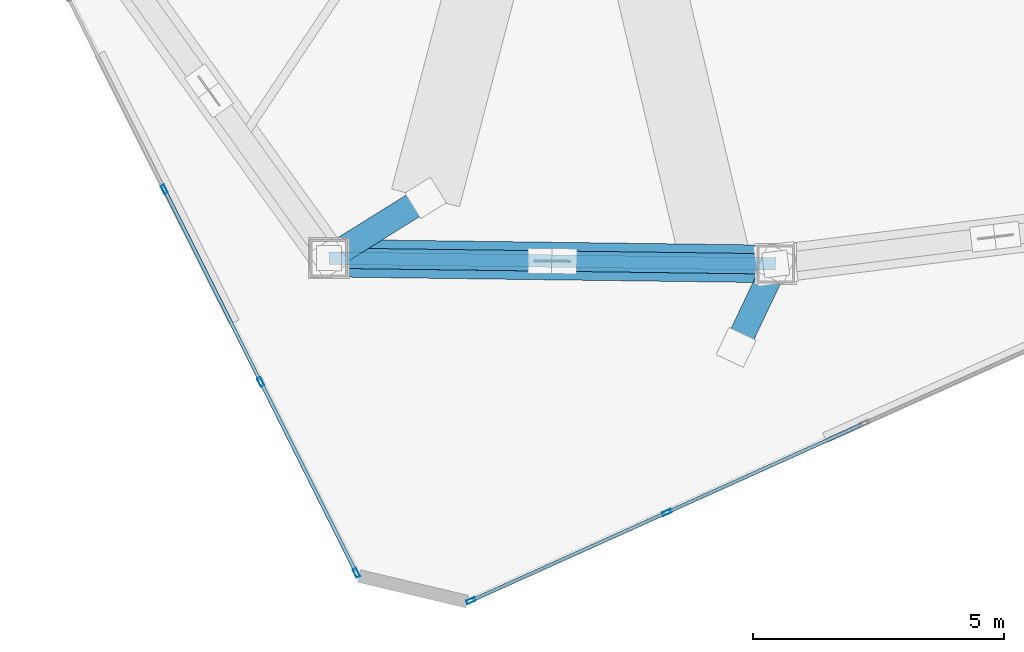
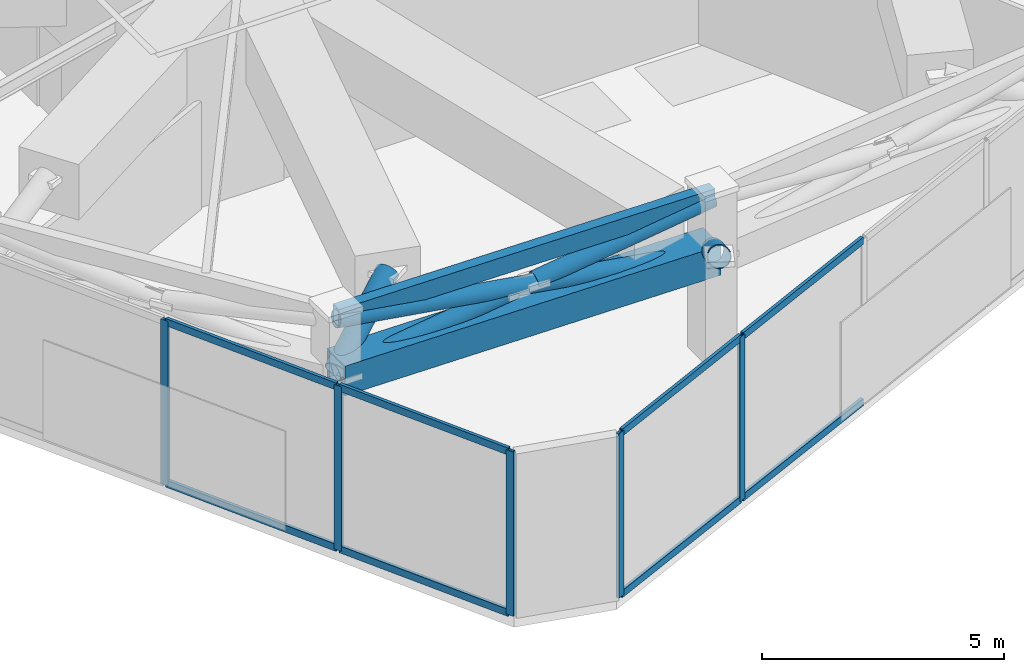
# One storey, part 2 of 21: 19 members, 1 beam, 2 elements without a shape of their own.
"""IFC4 building model written with IfcOpenShell, lengths in metres."""

from ifc_helpers import new_model, si_unit, direction, frame, origin, origin_2d, place, context, subcontext, project, spatial, hollow_rectangle, hollow_circle, extrude, source, transform, mapped, material, layer, layer_set, material_profile, profile_set, type_object, type_shapes, element, aggregate, save


model = new_model("IFC4")

# Units and contexts
model_context = context("Model", 3, precision=1e-05, world=origin(), true_north=direction((0.0, 1.0)))
body_context = subcontext(model_context, "Body", "Model", "MODEL_VIEW")
ifc_project = project(units=[si_unit("LENGTHUNIT", "METRE"), si_unit("AREAUNIT", "SQUARE_METRE"), si_unit("VOLUMEUNIT", "CUBIC_METRE"), si_unit("PLANEANGLEUNIT", "RADIAN"), si_unit("MASSUNIT", "GRAM", prefix="KILO")], contexts=[model_context])

# Site, building, storey
site_placement = place(None, origin())
site = spatial("IfcSite", under=ifc_project, at=site_placement, CompositionType="ELEMENT")
building_placement = place(site_placement, origin())
building = spatial("IfcBuilding", under=site, at=building_placement, Name="Talar Marvaseh", CompositionType="ELEMENT")
storey_placement = place(building_placement, frame((0.0, 0.0, 162.39990234375)))
storey = spatial("IfcBuildingStorey", under=building, at=storey_placement, Name="L42", CompositionType="ELEMENT", Elevation=162.39990234375)

# Beam
ifc_material_1 = material(Name="Steel S355", Category="steel")
ifc_material_profile_1 = material_profile(ifc_material_1, hollow_rectangle(XDim=0.25, YDim=0.449951171875, WallThickness=0.01611328125, at=origin_2d()), Name="RHS450x250x16")
ifc_profile_set_1 = profile_set([ifc_material_profile_1], Name="Steel S355")
beam_type = type_object("IfcBeamType", Name="Zone 2 Perimeter Spandrel Beam RHS450x250x16", PredefinedType="SPANDREL", material=ifc_profile_set_1)
beam_placement = place(storey_placement, frame((22.804931640625, 13.18310546875, 3.925048828125), z_axis=(-0.999915383581, 0.013008677034, 0.0), x_axis=(-0.013008677034, -0.999915383581, 0.0)))
element("IfcBeam", 1, at=beam_placement, inside=storey, type_object=beam_type, Name="L42 Zone 2 Perimeter Spandrel Beam RHS450x250x16", PredefinedType="SPANDREL", context=body_context, shape_type="SweptSolid", body=[
    extrude(hollow_rectangle(XDim=0.25, YDim=0.449951171875, WallThickness=0.01611328125, at=origin_2d()), origin(), (0.0, 0.0, 1.0), 8.91455078125),
])

# Members
ifc_material_2 = material(Name="Steel S460", Category="steel")
ifc_material_profile_2 = material_profile(ifc_material_2, hollow_circle(Radius=0.25390625, WallThickness=0.02001953125, at=origin_2d()), Name="CHS508x20")
ifc_profile_set_2 = profile_set([ifc_material_profile_2], Name="Steel S460")
member_type_1 = type_object("IfcMemberType", Name="Crown Frame Diagonal Brace CHS508x20", PredefinedType="BRACE", material=ifc_profile_set_2)
shared_shape_1 = source(origin(), body_context, "Body", "SweptSolid", [
    extrude(hollow_circle(Radius=0.25390625, WallThickness=0.02001953125, at=origin_2d()), origin(), (0.0, 0.0, 1.0), 2.1455078125),
])
member_1_placement = place(storey_placement, frame((22.804931640625, 13.18310546875, 2.550048828125), z_axis=(-0.368218332882, -0.775579776552, 0.512729236083), x_axis=(0.90335967175, -0.42888378782, 0.0)))
element("IfcMember", 2, at=member_1_placement, inside=storey, type_object=member_type_1, Name="L42 Setback Transfer Raked Strut 7", PredefinedType="BRACE", context=body_context, shape_type="MappedRepresentation", body=[
    mapped(shared_shape_1, transform((0.0, 0.0, 0.0), x_axis=(1.0, 0.0, 0.0), y_axis=(0.0, 1.0, 0.0), z_axis=(0.0, 0.0, 1.0), scale=1.0)),
])
shared_shape_2 = source(origin(), body_context, "Body", "SweptSolid", [
    extrude(hollow_circle(Radius=0.25390625, WallThickness=0.02001953125, at=origin_2d()), origin(), (0.0, 0.0, 1.0), 2.524169921875),
])
type_shapes(member_type_1, [shared_shape_1, shared_shape_2])
member_2_placement = place(storey_placement, frame((13.89111328125, 13.299072265625, 2.550048828125), z_axis=(0.763779604175, 0.476141191763, 0.435809914703), x_axis=(-0.529023002105, 0.848607484791, 0.0)))
element("IfcMember", 3, at=member_2_placement, inside=storey, type_object=member_type_1, Name="L42 Setback Transfer Raked Strut 8", PredefinedType="BRACE", context=body_context, shape_type="MappedRepresentation", body=[
    mapped(shared_shape_2, transform((0.0, 0.0, 0.0), x_axis=(1.0, 0.0, 0.0), y_axis=(0.0, 1.0, 0.0), z_axis=(0.0, 0.0, 1.0), scale=1.0)),
])
ifc_material_profile_3 = material_profile(ifc_material_2, hollow_rectangle(XDim=0.75, YDim=0.75, WallThickness=0.0400390625, at=origin_2d()), Name="BOX750x750x40")
ifc_profile_set_3 = profile_set([ifc_material_profile_3], Name="Steel S460")
member_type_2 = type_object("IfcMemberType", Name="Belt Truss Chord Member BOX750x750x40", PredefinedType="CHORD", material=ifc_profile_set_3)
shared_shape_3 = source(origin(), body_context, "Body", "SweptSolid", [
    extrude(hollow_rectangle(XDim=0.75, YDim=0.75, WallThickness=0.0400390625, at=origin_2d()), origin(), (0.0, 0.0, 1.0), 8.91455078125),
])
type_shapes(member_type_2, [shared_shape_3])
member_3_placement = place(storey_placement, frame((22.804931640625, 13.18310546875, 2.5), z_axis=(-0.999915383581, 0.013008677034, 0.0), x_axis=(-0.013008677034, -0.999915383581, 0.0)))
element("IfcMember", 4, at=member_3_placement, inside=storey, type_object=member_type_2, Name="L42 Belt Truss Bottom Chord 6", PredefinedType="CHORD", context=body_context, shape_type="MappedRepresentation", body=[
    mapped(shared_shape_3, transform((0.0, 0.0, 0.0), x_axis=(1.0, 0.0, 0.0), y_axis=(0.0, 1.0, 0.0), z_axis=(0.0, 0.0, 1.0), scale=1.0)),
])
ifc_material_profile_4 = material_profile(ifc_material_2, hollow_circle(Radius=0.203125, WallThickness=0.01611328125, at=origin_2d()), Name="CHS406x16")
ifc_profile_set_4 = profile_set([ifc_material_profile_4], Name="Steel S460")
member_type_3 = type_object("IfcMemberType", Name="Belt Truss Diagonal Brace CHS406x16", PredefinedType="BRACE", material=ifc_profile_set_4)
shared_shape_4 = source(origin(), body_context, "Body", "SweptSolid", [
    extrude(hollow_circle(Radius=0.203125, WallThickness=0.01611328125, at=origin_2d()), origin(), (0.0, 0.0, 1.0), 9.01611328125),
])
member_4_placement = place(storey_placement, frame((22.804931640625, 13.18310546875, 2.5), z_axis=(-0.988641616998, 0.012862007835, 0.149740849114), x_axis=(-0.013008677034, -0.999915383581, 0.0)))
element("IfcMember", 5, at=member_4_placement, inside=storey, type_object=member_type_3, Name="L42 Belt Truss Continuous Diagonal 6", PredefinedType="BRACE", context=body_context, shape_type="MappedRepresentation", body=[
    mapped(shared_shape_4, transform((0.0, 0.0, 0.0), x_axis=(1.0, 0.0, 0.0), y_axis=(0.0, 1.0, 0.0), z_axis=(0.0, 0.0, 1.0), scale=1.0)),
])
shared_shape_5 = source(origin(), body_context, "Body", "SweptSolid", [
    extrude(hollow_circle(Radius=0.203125, WallThickness=0.01611328125, at=origin_2d()), origin(), (0.0, 0.0, 1.0), 4.26806640625),
])
member_5_placement = place(storey_placement, frame((13.89111328125, 13.299072265625, 2.5), z_axis=(0.988638999455, -0.012870669148, 0.149757385904), x_axis=(0.01301747009, 0.999915269147, 0.0)))
element("IfcMember", 6, at=member_5_placement, inside=storey, type_object=member_type_3, Name="L42 Belt Truss Split Diagonal Lower 6", PredefinedType="BRACE", context=body_context, shape_type="MappedRepresentation", body=[
    mapped(shared_shape_5, transform((0.0, 0.0, 0.0), x_axis=(1.0, 0.0, 0.0), y_axis=(0.0, 1.0, 0.0), z_axis=(0.0, 0.0, 1.0), scale=1.0)),
])
shared_shape_6 = source(origin(), body_context, "Body", "SweptSolid", [
    extrude(hollow_circle(Radius=0.203125, WallThickness=0.01611328125, at=origin_2d()), origin(), (0.0, 0.0, 1.0), 4.268310546875),
])
type_shapes(member_type_3, [shared_shape_4, shared_shape_5, shared_shape_6])
member_6_placement = place(storey_placement, frame((18.585205078125, 13.23779296875, 3.2109375), z_axis=(0.988641017906, -0.012812750984, 0.149749027128), x_axis=(0.012958874727, 0.999916030257, 0.0)))
element("IfcMember", 7, at=member_6_placement, inside=storey, type_object=member_type_3, Name="L42 Belt Truss Split Diagonal Upper 6", PredefinedType="BRACE", context=body_context, shape_type="MappedRepresentation", body=[
    mapped(shared_shape_6, transform((0.0, 0.0, 0.0), x_axis=(1.0, 0.0, 0.0), y_axis=(0.0, 1.0, 0.0), z_axis=(0.0, 0.0, 1.0), scale=1.0)),
])

# Curtain wall, members
ifc_material_3 = material(Name="Architectural Aluminium", Category="aluminium")
ifc_layer = layer(ifc_material_3, 0.199951171875)
ifc_layer_set = layer_set([ifc_layer], Name="Architectural Aluminium")
curtain_wall_type = type_object("IfcCurtainWallType", Name="Unitised Acoustic Library Curtain Wall Z2", PredefinedType="NOTDEFINED", material=ifc_layer_set)
curtain_wall_1_placement = place(storey_placement, origin())
curtain_wall_1 = element("IfcCurtainWall", 8, at=curtain_wall_1_placement, inside=storey, type_object=curtain_wall_type, Name="L42 Unitised Acoustic Library Curtain Wall Z2", PredefinedType="NOTDEFINED")
ifc_material_profile_5 = material_profile(ifc_material_3, hollow_rectangle(XDim=0.074951171875, YDim=0.179931640625, WallThickness=0.0048828125, at=origin_2d()), Name="RHS180x75x5")
ifc_profile_set_5 = profile_set([ifc_material_profile_5], Name="Architectural Aluminium")
member_type_4 = type_object("IfcMemberType", Name="Unitised Curtain Wall Transom RHS180x75x5", PredefinedType="USERDEFINED", material=ifc_profile_set_5)
shared_shape_7 = source(origin(), body_context, "Body", "SweptSolid", [
    extrude(hollow_rectangle(XDim=0.074951171875, YDim=0.179931640625, WallThickness=0.0048828125, at=origin_2d()), origin(), (0.0, 0.0, 1.0), 4.185302734375),
])
member_7_placement = place(storey_placement, frame((14.42041015625, 7.054931640625, 0.03759765625), z_axis=(-0.447703523127, 0.894182059415, 0.0), x_axis=(-0.894182059415, -0.447703523127, 0.0)))
member_7 = element("IfcMember", 9, at=member_7_placement, type_object=member_type_4, Name="CW-Z2 transom 1.1", ObjectType="TRANSOM", PredefinedType="USERDEFINED", context=body_context, shape_type="MappedRepresentation", body=[
    mapped(shared_shape_7, transform((0.0, 0.0, 0.0), x_axis=(1.0, 0.0, 0.0), y_axis=(0.0, 1.0, 0.0), z_axis=(0.0, 0.0, 1.0), scale=1.0)),
])
member_8_placement = place(storey_placement, frame((14.42041015625, 7.054931640625, 4.112548828125), z_axis=(-0.447703523127, 0.894182059415, 0.0), x_axis=(-0.894182059415, -0.447703523127, 0.0)))
member_8 = element("IfcMember", 10, at=member_8_placement, type_object=member_type_4, Name="CW-Z2 transom 1.2", ObjectType="TRANSOM", PredefinedType="USERDEFINED", context=body_context, shape_type="MappedRepresentation", body=[
    mapped(shared_shape_7, transform((0.0, 0.0, 0.0), x_axis=(1.0, 0.0, 0.0), y_axis=(0.0, 1.0, 0.0), z_axis=(0.0, 0.0, 1.0), scale=1.0)),
])

curtain_wall_2_placement = place(storey_placement, origin())
curtain_wall_2 = element("IfcCurtainWall", 11, at=curtain_wall_2_placement, inside=storey, type_object=curtain_wall_type, Name="L42 Unitised Acoustic Library Curtain Wall Z2", PredefinedType="NOTDEFINED")
shared_shape_8 = source(origin(), body_context, "Body", "SweptSolid", [
    extrude(hollow_rectangle(XDim=0.074951171875, YDim=0.179931640625, WallThickness=0.0048828125, at=origin_2d()), origin(), (0.0, 0.0, 1.0), 4.211181640625),
])
member_9_placement = place(storey_placement, frame((20.596923828125, 8.2099609375, 0.03759765625), z_axis=(-0.911719626426, -0.410813002216, 0.0), x_axis=(0.410813002216, -0.911719626426, 0.0)))
member_9 = element("IfcMember", 12, at=member_9_placement, type_object=member_type_4, Name="CW-Z2 transom 5.1", ObjectType="TRANSOM", PredefinedType="USERDEFINED", context=body_context, shape_type="MappedRepresentation", body=[
    mapped(shared_shape_8, transform((0.0, 0.0, 0.0), x_axis=(1.0, 0.0, 0.0), y_axis=(0.0, 1.0, 0.0), z_axis=(0.0, 0.0, 1.0), scale=1.0)),
])
member_10_placement = place(storey_placement, frame((20.596923828125, 8.2099609375, 4.112548828125), z_axis=(-0.911719626426, -0.410813002216, 0.0), x_axis=(0.410813002216, -0.911719626426, 0.0)))
member_10 = element("IfcMember", 13, at=member_10_placement, type_object=member_type_4, Name="CW-Z2 transom 5.2", ObjectType="TRANSOM", PredefinedType="USERDEFINED", context=body_context, shape_type="MappedRepresentation", body=[
    mapped(shared_shape_8, transform((0.0, 0.0, 0.0), x_axis=(1.0, 0.0, 0.0), y_axis=(0.0, 1.0, 0.0), z_axis=(0.0, 0.0, 1.0), scale=1.0)),
])
shared_shape_9 = source(origin(), body_context, "Body", "SweptSolid", [
    extrude(hollow_rectangle(XDim=0.074951171875, YDim=0.179931640625, WallThickness=0.0048828125, at=origin_2d()), origin(), (0.0, 0.0, 1.0), 4.24853515625),
])
member_11_placement = place(storey_placement, frame((24.53857421875, 9.986572265625, 0.03759765625), z_axis=(-0.911690184287, -0.410878337072, 0.0), x_axis=(0.410878337072, -0.911690184287, 0.0)))
member_11 = element("IfcMember", 14, at=member_11_placement, type_object=member_type_4, Name="CW-Z2 transom 4.1", ObjectType="TRANSOM", PredefinedType="USERDEFINED", context=body_context, shape_type="MappedRepresentation", body=[
    mapped(shared_shape_9, transform((0.0, 0.0, 0.0), x_axis=(1.0, 0.0, 0.0), y_axis=(0.0, 1.0, 0.0), z_axis=(0.0, 0.0, 1.0), scale=1.0)),
])
member_12_placement = place(storey_placement, frame((24.53857421875, 9.986572265625, 4.112548828125), z_axis=(-0.911690184287, -0.410878337072, 0.0), x_axis=(0.410878337072, -0.911690184287, 0.0)))
member_12 = element("IfcMember", 15, at=member_12_placement, type_object=member_type_4, Name="CW-Z2 transom 4.2", ObjectType="TRANSOM", PredefinedType="USERDEFINED", context=body_context, shape_type="MappedRepresentation", body=[
    mapped(shared_shape_9, transform((0.0, 0.0, 0.0), x_axis=(1.0, 0.0, 0.0), y_axis=(0.0, 1.0, 0.0), z_axis=(0.0, 0.0, 1.0), scale=1.0)),
])

# Member
shared_shape_10 = source(origin(), body_context, "Body", "SweptSolid", [
    extrude(hollow_rectangle(XDim=0.074951171875, YDim=0.179931640625, WallThickness=0.0048828125, at=origin_2d()), origin(), (0.0, 0.0, 1.0), 4.22265625),
])
type_shapes(member_type_4, [shared_shape_7, shared_shape_8, shared_shape_9, shared_shape_10])
member_13_placement = place(storey_placement, frame((12.512939453125, 10.864501953125, 0.03759765625), z_axis=(-0.44767607071, 0.894195803901, 0.0), x_axis=(-0.894195803901, -0.44767607071, 0.0)))
member_13 = element("IfcMember", 16, at=member_13_placement, type_object=member_type_4, Name="CW-Z2 transom 2.1", ObjectType="TRANSOM", PredefinedType="USERDEFINED", context=body_context, shape_type="MappedRepresentation", body=[
    mapped(shared_shape_10, transform((0.0, 0.0, 0.0), x_axis=(1.0, 0.0, 0.0), y_axis=(0.0, 1.0, 0.0), z_axis=(0.0, 0.0, 1.0), scale=1.0)),
])

member_14_placement = place(storey_placement, frame((12.512939453125, 10.864501953125, 4.112548828125), z_axis=(-0.44767607071, 0.894195803901, 0.0), x_axis=(-0.894195803901, -0.44767607071, 0.0)))
member_14 = element("IfcMember", 17, at=member_14_placement, type_object=member_type_4, Name="CW-Z2 transom 2.2", ObjectType="TRANSOM", PredefinedType="USERDEFINED", context=body_context, shape_type="MappedRepresentation", body=[
    mapped(shared_shape_10, transform((0.0, 0.0, 0.0), x_axis=(1.0, 0.0, 0.0), y_axis=(0.0, 1.0, 0.0), z_axis=(0.0, 0.0, 1.0), scale=1.0)),
])

ifc_material_profile_6 = material_profile(ifc_material_3, hollow_rectangle(XDim=0.074951171875, YDim=0.179931640625, WallThickness=0.0048828125, at=origin_2d()), Name="RHS180x75x5")
ifc_profile_set_6 = profile_set([ifc_material_profile_6], Name="Architectural Aluminium")
member_type_5 = type_object("IfcMemberType", Name="Unitised Curtain Wall Standard Mullion RHS180x75x5", PredefinedType="MULLION", material=ifc_profile_set_6)
shared_shape_11 = source(origin(), body_context, "Body", "SweptSolid", [
    extrude(hollow_rectangle(XDim=0.074951171875, YDim=0.179931640625, WallThickness=0.0048828125, at=origin_2d()), origin(), (0.0, 0.0, 1.0), 4.150146484375),
])
type_shapes(member_type_5, [shared_shape_11])
member_15_placement = place(storey_placement, frame((14.437255859375, 7.021240234375, 0.0), z_axis=(0.0, 0.0, 1.0), x_axis=(-0.894182751668, -0.447702140513, 0.0)))
member_15 = element("IfcMember", 18, at=member_15_placement, type_object=member_type_5, Name="CW-Z2 mullion 1", PredefinedType="MULLION", context=body_context, shape_type="MappedRepresentation", body=[
    mapped(shared_shape_11, transform((0.0, 0.0, 0.0), x_axis=(1.0, 0.0, 0.0), y_axis=(0.0, 1.0, 0.0), z_axis=(0.0, 0.0, 1.0), scale=1.0)),
])

member_16_placement = place(storey_placement, frame((12.52978515625, 10.830810546875, 0.0), z_axis=(0.0, 0.0, 1.0), x_axis=(-0.894182751668, -0.447702140513, 0.0)))
member_16 = element("IfcMember", 19, at=member_16_placement, type_object=member_type_5, Name="CW-Z2 mullion 2", PredefinedType="MULLION", context=body_context, shape_type="MappedRepresentation", body=[
    mapped(shared_shape_11, transform((0.0, 0.0, 0.0), x_axis=(1.0, 0.0, 0.0), y_axis=(0.0, 1.0, 0.0), z_axis=(0.0, 0.0, 1.0), scale=1.0)),
])

member_17_placement = place(storey_placement, frame((10.605712890625, 14.674072265625, 0.0), z_axis=(0.0, 0.0, 1.0), x_axis=(-0.894182751668, -0.447702140513, 0.0)))
member_17 = element("IfcMember", 20, at=member_17_placement, type_object=member_type_5, Name="CW-Z2 mullion 3", PredefinedType="MULLION", context=body_context, shape_type="MappedRepresentation", body=[
    mapped(shared_shape_11, transform((0.0, 0.0, 0.0), x_axis=(1.0, 0.0, 0.0), y_axis=(0.0, 1.0, 0.0), z_axis=(0.0, 0.0, 1.0), scale=1.0)),
])

aggregate(curtain_wall_1, [member_15, member_16, member_17, member_7, member_8, member_13, member_14])

member_18_placement = place(storey_placement, frame((20.631103515625, 8.2255859375, 0.0), z_axis=(0.0, 0.0, 1.0), x_axis=(0.410862398783, -0.911697367149, 0.0)))
member_18 = element("IfcMember", 21, at=member_18_placement, type_object=member_type_5, Name="CW-Z2 mullion 5", PredefinedType="MULLION", context=body_context, shape_type="MappedRepresentation", body=[
    mapped(shared_shape_11, transform((0.0, 0.0, 0.0), x_axis=(1.0, 0.0, 0.0), y_axis=(0.0, 1.0, 0.0), z_axis=(0.0, 0.0, 1.0), scale=1.0)),
])

member_19_placement = place(storey_placement, frame((16.723388671875, 6.464599609375, 0.0), z_axis=(0.0, 0.0, 1.0), x_axis=(0.410862398783, -0.911697367149, 0.0)))
member_19 = element("IfcMember", 22, at=member_19_placement, type_object=member_type_5, Name="CW-Z2 mullion 6", PredefinedType="MULLION", context=body_context, shape_type="MappedRepresentation", body=[
    mapped(shared_shape_11, transform((0.0, 0.0, 0.0), x_axis=(1.0, 0.0, 0.0), y_axis=(0.0, 1.0, 0.0), z_axis=(0.0, 0.0, 1.0), scale=1.0)),
])

aggregate(curtain_wall_2, [member_18, member_19, member_11, member_12, member_9, member_10])

save(model, "model.ifc")
